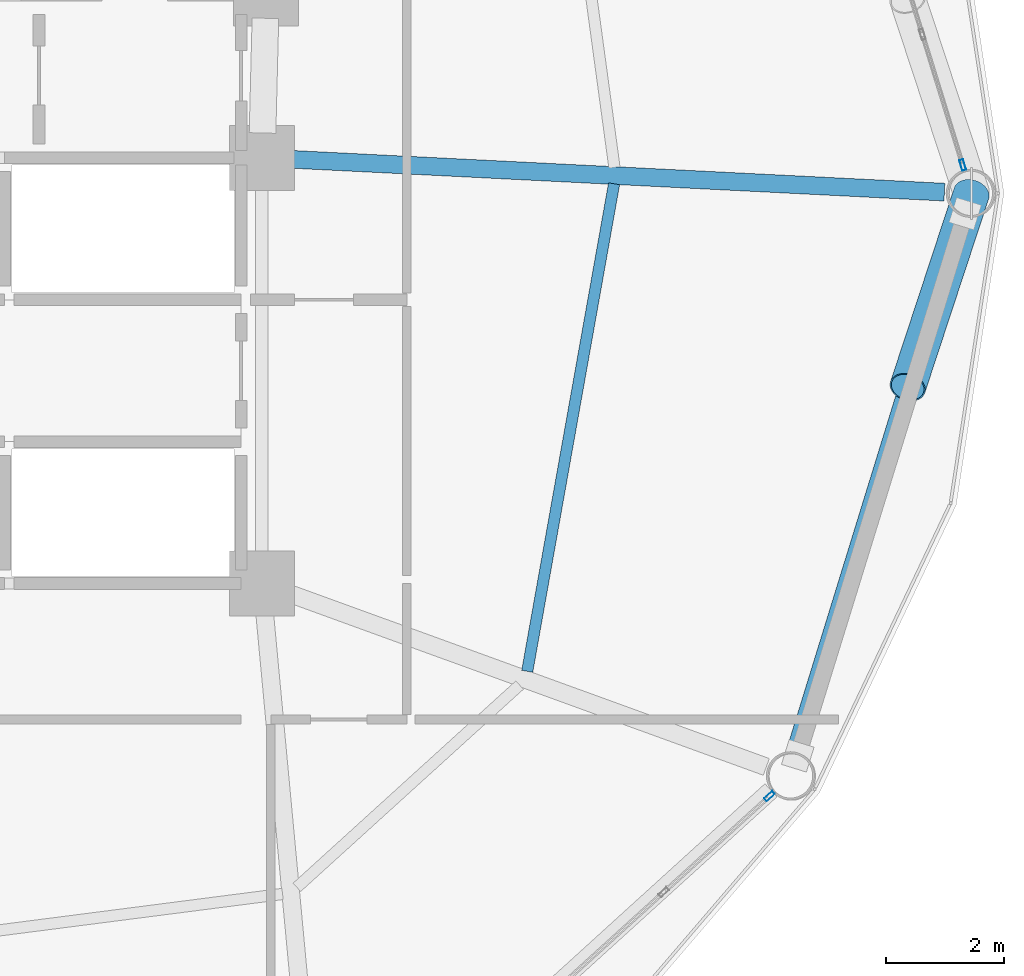
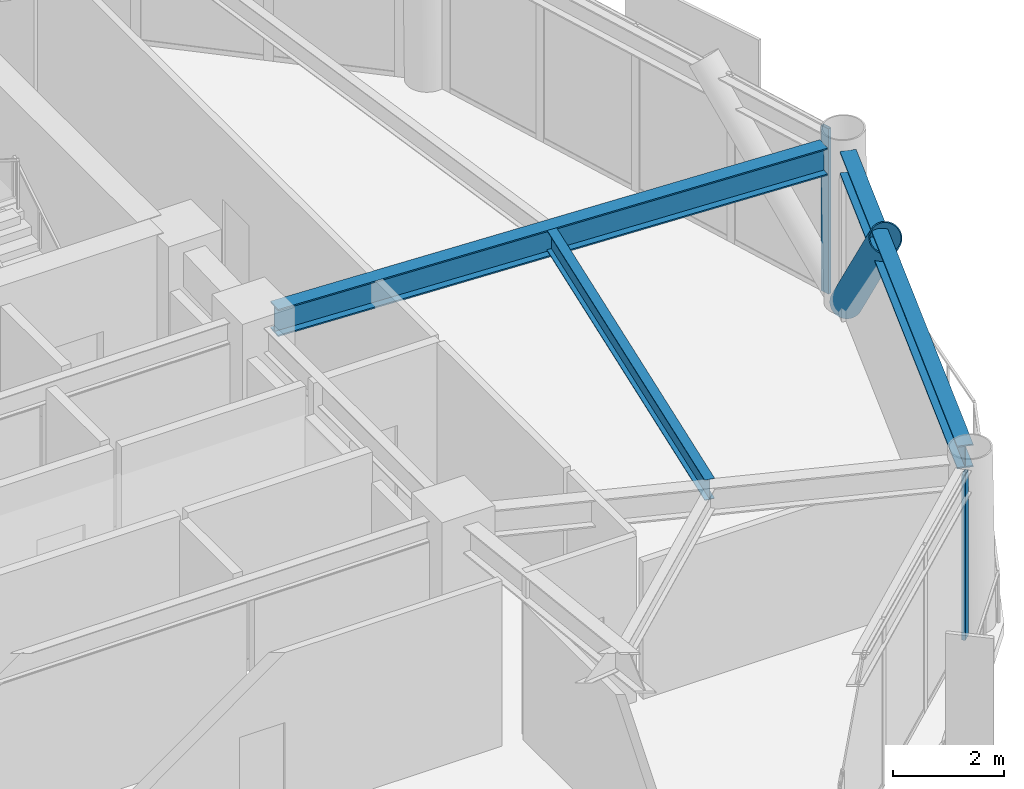
# One storey, part 13 of 26: 3 beams, 3 members, 2 elements without a shape of their own.
"""IFC4 building model written with IfcOpenShell, lengths in metres."""

from ifc_helpers import new_model, si_unit, direction, frame, origin, origin_2d, place, context, subcontext, project, spatial, hollow_rectangle, hollow_circle, i_section, extrude, material, layer, layer_set, material_profile, profile_set, type_object, element, aggregate, save


model = new_model("IFC4")

# Units and contexts
model_context = context("Model", 3, precision=1e-05, world=origin(), true_north=direction((0.0, 1.0)))
body_context = subcontext(model_context, "Body", "Model", "MODEL_VIEW")
ifc_project = project(units=[si_unit("LENGTHUNIT", "METRE"), si_unit("AREAUNIT", "SQUARE_METRE"), si_unit("VOLUMEUNIT", "CUBIC_METRE"), si_unit("PLANEANGLEUNIT", "RADIAN"), si_unit("MASSUNIT", "GRAM", prefix="KILO")], contexts=[model_context])

# Site, building, storey
site_placement = place(None, origin())
site = spatial("IfcSite", under=ifc_project, at=site_placement, CompositionType="ELEMENT")
building_placement = place(site_placement, origin())
building = spatial("IfcBuilding", under=site, at=building_placement, Name="Varnakorn Sky Granary", CompositionType="ELEMENT")
storey_placement = place(building_placement, frame((0.0, 0.0, 87.60009765625)))
storey = spatial("IfcBuildingStorey", under=building, at=storey_placement, Name="L21", CompositionType="ELEMENT", Elevation=87.60009765625)

# Beams
ifc_material_1 = material(Name="Steel S355JR", Category="steel")
ifc_material_profile_1 = material_profile(ifc_material_1, i_section(OverallWidth=0.300048828125, OverallDepth=0.60009765625, WebThickness=0.015380859375, FlangeThickness=0.030029296875, at=origin_2d()), Name="HE 600 B")
ifc_profile_set_1 = profile_set([ifc_material_profile_1], Name="Steel S355JR")
beam_type_1 = type_object("IfcBeamType", Name="BM-RAD-Z2", PredefinedType="BEAM", material=ifc_profile_set_1)
beam_1_placement = place(storey_placement, frame((8.76953125, 0.578857421875, 3.33984375), z_axis=(0.998739073872, -0.050202214302, 0.0), x_axis=(0.050202214302, 0.998739073872, 0.0)))
element("IfcBeam", 1, at=beam_1_placement, inside=storey, type_object=beam_type_1, Name="Radial Floor Girder RG01 L21", PredefinedType="BEAM", context=body_context, shape_type="SweptSolid", body=[
    extrude(i_section(OverallWidth=0.300048828125, OverallDepth=0.60009765625, WebThickness=0.015380859375, FlangeThickness=0.030029296875, at=origin_2d()), origin(), (0.0, 0.0, 1.0), 11.13671875),
])
ifc_material_profile_2 = material_profile(ifc_material_1, i_section(OverallWidth=0.18994140625, OverallDepth=0.449951171875, WebThickness=0.009521484375, FlangeThickness=0.0146484375, at=origin_2d()), Name="IPE 450")
ifc_profile_set_2 = profile_set([ifc_material_profile_2], Name="Steel S355JR")
beam_type_2 = type_object("IfcBeamType", Name="BM-SEC-Z2", PredefinedType="BEAM", material=ifc_profile_set_2)
beam_2_placement = place(storey_placement, frame((12.8369140625, -8.083740234375, 3.414794921875), z_axis=(0.175426410046, 0.984492546776, 0.0), x_axis=(-0.984492546776, 0.175426410046, 0.0)))
element("IfcBeam", 2, at=beam_2_placement, inside=storey, type_object=beam_type_2, Name="Secondary Floor Chord Beam MSB12 L21", PredefinedType="BEAM", context=body_context, shape_type="SweptSolid", body=[
    extrude(i_section(OverallWidth=0.18994140625, OverallDepth=0.449951171875, WebThickness=0.009521484375, FlangeThickness=0.0146484375, at=origin_2d()), origin(), (0.0, 0.0, 1.0), 8.375244140625),
])
ifc_material_profile_3 = material_profile(ifc_material_1, i_section(OverallWidth=0.300048828125, OverallDepth=0.5, WebThickness=0.014404296875, FlangeThickness=0.028076171875, at=origin_2d()), Name="HE 500 B")
ifc_profile_set_3 = profile_set([ifc_material_profile_3], Name="Steel S355JR")
beam_type_3 = type_object("IfcBeamType", Name="BM-SPD-Z2", PredefinedType="SPANDREL", material=ifc_profile_set_3)
beam_3_placement = place(storey_placement, frame((17.36328125, -9.45947265625, 3.389892578125), z_axis=(0.294919318378, 0.955522158638, 0.0), x_axis=(-0.955522158638, 0.294919318378, 0.0)))
element("IfcBeam", 3, at=beam_3_placement, inside=storey, type_object=beam_type_3, Name="Perimeter Spandrel Ring Beam RB12 L21", PredefinedType="SPANDREL", context=body_context, shape_type="SweptSolid", body=[
    extrude(i_section(OverallWidth=0.300048828125, OverallDepth=0.5, WebThickness=0.014404296875, FlangeThickness=0.028076171875, at=origin_2d()), origin(), (0.0, 0.0, 1.0), 9.50830078125),
])

# Curtain wall, member
ifc_material_2 = material(Name="Anodised Bronze Aluminium Alloy 6063-T6", Category="aluminium")
ifc_layer = layer(ifc_material_2, 0.18994140625, Name="Anodised Bronze Aluminium Alloy 6063-T6")
ifc_layer_set = layer_set([ifc_layer], Name="Anodised Bronze Aluminium Alloy 6063-T6")
curtain_wall_type = type_object("IfcCurtainWallType", Name="CW-FRM-1", PredefinedType="USERDEFINED", material=ifc_layer_set)
curtain_wall_1_placement = place(storey_placement, origin())
curtain_wall_1 = element("IfcCurtainWall", 4, at=curtain_wall_1_placement, inside=storey, type_object=curtain_wall_type, Name="Unitised Curtain Wall CW3 CW-L21-B01", ObjectType="CURTAIN WALL", PredefinedType="USERDEFINED")
ifc_material_profile_4 = material_profile(ifc_material_2, hollow_rectangle(XDim=0.070068359375, YDim=0.18505859375, WallThickness=0.00390625, at=origin_2d()), Name="ALU MULL 70x185")
ifc_profile_set_4 = profile_set([ifc_material_profile_4], Name="Anodised Bronze Aluminium Alloy 6063-T6")
member_type_1 = type_object("IfcMemberType", Name="CW-FRM-1-MULL", PredefinedType="MULLION", material=ifc_profile_set_4)
member_1_placement = place(storey_placement, frame((20.201904296875, 0.479248046875, 0.0), z_axis=(0.0, 0.0, 1.0), x_axis=(0.955475972481, 0.295068917394, 0.0)))
member_1 = element("IfcMember", 5, at=member_1_placement, type_object=member_type_1, Name="CW3 mullion 5", PredefinedType="MULLION", context=body_context, shape_type="SweptSolid", body=[
    extrude(hollow_rectangle(XDim=0.070068359375, YDim=0.18505859375, WallThickness=0.00390625, at=origin_2d()), origin(), (0.0, 0.0, 1.0), 3.639892578125),
])
aggregate(curtain_wall_1, [member_1])

curtain_wall_2_placement = place(storey_placement, origin())
curtain_wall_2 = element("IfcCurtainWall", 6, at=curtain_wall_2_placement, inside=storey, type_object=curtain_wall_type, Name="Unitised Curtain Wall CW3 CW-L21-B11", ObjectType="CURTAIN WALL", PredefinedType="USERDEFINED")
member_2_placement = place(storey_placement, frame((16.934326171875, -10.194580078125, 0.0), z_axis=(0.0, 0.0, 1.0), x_axis=(0.672190262797, -0.74037845093, 0.0)))
member_2 = element("IfcMember", 7, at=member_2_placement, type_object=member_type_1, Name="CW3 mullion 1", PredefinedType="MULLION", context=body_context, shape_type="SweptSolid", body=[
    extrude(hollow_rectangle(XDim=0.070068359375, YDim=0.18505859375, WallThickness=0.00390625, at=origin_2d()), origin(), (0.0, 0.0, 1.0), 3.639892578125),
])
aggregate(curtain_wall_2, [member_2])

# Member
ifc_material_3 = material(Name="Steel S460M", Category="steel")
ifc_material_profile_5 = material_profile(ifc_material_3, hollow_circle(Radius=0.304931640625, WallThickness=0.022216796875, at=origin_2d()), Name="CHS 610x22")
ifc_profile_set_5 = profile_set([ifc_material_profile_5], Name="Steel S460M")
member_type_2 = type_object("IfcMemberType", Name="MB-DIAG-T1", PredefinedType="BRACE", material=ifc_profile_set_5)
member_3_placement = place(storey_placement, frame((20.35009765625, 0.0, 0.0), z_axis=(-0.210488584504, -0.639515667696, 0.739401289263), x_axis=(0.949872170088, -0.312638546076, 0.0)))
element("IfcMember", 8, at=member_3_placement, inside=storey, type_object=member_type_2, Name="Perimeter CHS Diagrid Brace DG12 L21", PredefinedType="BRACE", context=body_context, shape_type="SweptSolid", body=[
    extrude(hollow_circle(Radius=0.304931640625, WallThickness=0.022216796875, at=origin_2d()), origin(), (0.0, 0.0, 1.0), 5.12548828125),
])

save(model, "model.ifc")
